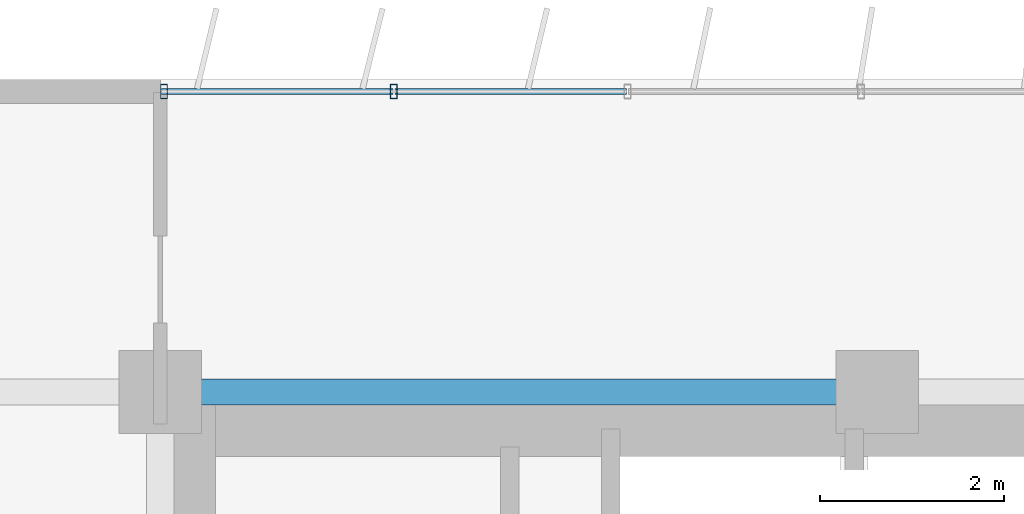
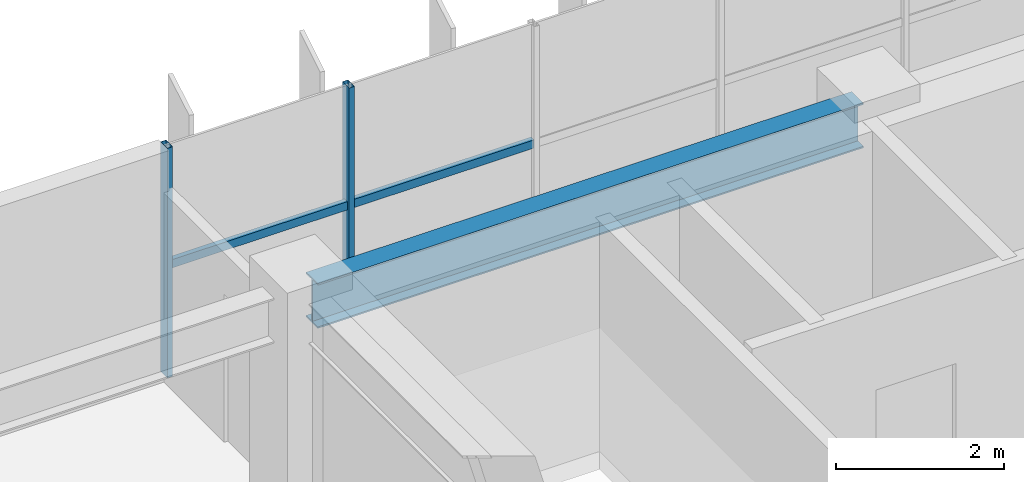
# One storey, part 5 of 22: 4 members, 1 beam, 1 element without a shape of its own.
"""IFC4 building model written with IfcOpenShell, lengths in metres."""

from ifc_helpers import new_model, si_unit, direction, frame, origin, origin_2d, place, context, subcontext, project, spatial, hollow_rectangle, i_section, extrude, source, transform, mapped, material, material_profile, profile_set, type_object, element, aggregate, save


model = new_model("IFC4")

# Units and contexts
model_context = context("Model", 3, precision=1e-05, world=origin(), true_north=direction((0.0, 1.0)))
body_context = subcontext(model_context, "Body", "Model", "MODEL_VIEW")
ifc_project = project(units=[si_unit("LENGTHUNIT", "METRE"), si_unit("AREAUNIT", "SQUARE_METRE"), si_unit("VOLUMEUNIT", "CUBIC_METRE"), si_unit("PLANEANGLEUNIT", "RADIAN"), si_unit("MASSUNIT", "GRAM", prefix="KILO")], contexts=[model_context])

# Site, building, storey
site_placement = place(None, origin())
site = spatial("IfcSite", under=ifc_project, at=site_placement, CompositionType="ELEMENT")
building_placement = place(site_placement, origin())
building = spatial("IfcBuilding", under=site, at=building_placement, Name="Trelvane Seafront Commons", CompositionType="ELEMENT")
storey_placement = place(building_placement, frame((0.0, 0.0, 45.10009765625)))
storey = spatial("IfcBuildingStorey", under=building, at=storey_placement, Name="L11", CompositionType="ELEMENT", Elevation=45.10009765625)

# Beam
ifc_material_1 = material(Name="Steel SM355 (S355)", Category="steel")
ifc_material_profile_1 = material_profile(ifc_material_1, i_section(OverallWidth=0.280029296875, OverallDepth=0.64990234375, WebThickness=0.012939453125, FlangeThickness=0.02197265625, at=origin_2d()), Name="H-650x280x13x22")
ifc_profile_set_1 = profile_set([ifc_material_profile_1], Name="Steel SM355 (S355)")
beam_type = type_object("IfcBeamType", Name="STR-BM-H650", PredefinedType="BEAM", material=ifc_profile_set_1)
shared_shape_1 = source(origin(), body_context, "Body", "SweptSolid", [
    extrude(i_section(OverallWidth=0.280029296875, OverallDepth=0.64990234375, WebThickness=0.012939453125, FlangeThickness=0.02197265625, at=origin_2d()), origin(), (0.0, 0.0, 1.0), 7.5),
])
beam_placement = place(storey_placement, frame((15.75, 45.10009765625, 3.014892578125), z_axis=(1.0, 0.0, 0.0), x_axis=(0.0, 1.0, 0.0)))
element("IfcBeam", 1, at=beam_placement, inside=storey, type_object=beam_type, Name="L11 Primary Girder G-30", PredefinedType="BEAM", context=body_context, shape_type="MappedRepresentation", body=[
    mapped(shared_shape_1, transform((0.0, 0.0, 0.0), x_axis=(1.0, 0.0, 0.0), y_axis=(0.0, 1.0, 0.0), z_axis=(0.0, 0.0, 1.0), scale=1.0)),
])

# Curtain wall, members
ifc_material_2 = material(Name="Anodised pale-silver aluminium", Category="aluminium")
curtain_wall_type = type_object("IfcCurtainWallType", Name="ARCH-CW2-LOWTOWER", PredefinedType="NOTDEFINED", material=ifc_material_2)
curtain_wall_placement = place(storey_placement, origin())
curtain_wall = element("IfcCurtainWall", 2, at=curtain_wall_placement, inside=storey, type_object=curtain_wall_type, Name="CW-L11-0035", PredefinedType="NOTDEFINED")
ifc_material_profile_2 = material_profile(ifc_material_2, hollow_rectangle(XDim=0.070068359375, YDim=0.1201171875, WallThickness=0.00390625, at=origin_2d()), Name="TRAN-70x120x4")
ifc_profile_set_2 = profile_set([ifc_material_profile_2], Name="Anodised pale-silver aluminium")
member_type_1 = type_object("IfcMemberType", Name="ARCH-CW-TRAN-120", PredefinedType="USERDEFINED", material=ifc_profile_set_2)
shared_shape_2 = source(origin(), body_context, "Body", "SweptSolid", [
    extrude(hollow_rectangle(XDim=0.070068359375, YDim=0.1201171875, WallThickness=0.00390625, at=origin_2d()), origin(), (0.0, 0.0, 1.0), 2.51708984375),
])
member_1_placement = place(storey_placement, frame((15.612060546875, 48.3701171875, 1.602783203125), z_axis=(1.0, 0.0, 0.0), x_axis=(0.0, 1.0, 0.0)))
member_1 = element("IfcMember", 3, at=member_1_placement, type_object=member_type_1, Name="CW-L11-0035-T00", ObjectType="TRANSOM", PredefinedType="USERDEFINED", context=body_context, shape_type="MappedRepresentation", body=[
    mapped(shared_shape_2, transform((0.0, 0.0, 0.0), x_axis=(1.0, 0.0, 0.0), y_axis=(0.0, 1.0, 0.0), z_axis=(0.0, 0.0, 1.0), scale=1.0)),
])
member_2_placement = place(storey_placement, frame((18.1533203125, 48.3701171875, 1.602783203125), z_axis=(1.0, 0.0, 0.0), x_axis=(0.0, 1.0, 0.0)))
member_2 = element("IfcMember", 4, at=member_2_placement, type_object=member_type_1, Name="CW-L11-0035-T01", ObjectType="TRANSOM", PredefinedType="USERDEFINED", context=body_context, shape_type="MappedRepresentation", body=[
    mapped(shared_shape_2, transform((0.0, 0.0, 0.0), x_axis=(1.0, 0.0, 0.0), y_axis=(0.0, 1.0, 0.0), z_axis=(0.0, 0.0, 1.0), scale=1.0)),
])
ifc_material_profile_3 = material_profile(ifc_material_2, hollow_rectangle(XDim=0.074951171875, YDim=0.159912109375, WallThickness=0.00390625, at=origin_2d()), Name="MULL-75x160x4")
ifc_profile_set_3 = profile_set([ifc_material_profile_3], Name="Anodised pale-silver aluminium")
member_type_2 = type_object("IfcMemberType", Name="ARCH-CW-MULL-160", PredefinedType="MULLION", material=ifc_profile_set_3)
shared_shape_3 = source(origin(), body_context, "Body", "SweptSolid", [
    extrude(hollow_rectangle(XDim=0.074951171875, YDim=0.159912109375, WallThickness=0.00390625, at=origin_2d()), origin(), (0.0, 0.0, 1.0), 3.33984375),
])
member_3_placement = place(storey_placement, frame((15.639892578125, 48.3701171875, 0.0), z_axis=(0.0, 0.0, 1.0), x_axis=(1.0, 0.0, 0.0)))
member_3 = element("IfcMember", 5, at=member_3_placement, type_object=member_type_2, Name="CW-L11-0035-M00", PredefinedType="MULLION", context=body_context, shape_type="MappedRepresentation", body=[
    mapped(shared_shape_3, transform((0.0, 0.0, 0.0), x_axis=(1.0, 0.0, 0.0), y_axis=(0.0, 1.0, 0.0), z_axis=(0.0, 0.0, 1.0), scale=1.0)),
])
member_4_placement = place(storey_placement, frame((18.14111328125, 48.3701171875, 0.0), z_axis=(0.0, 0.0, 1.0), x_axis=(1.0, 0.0, 0.0)))
member_4 = element("IfcMember", 6, at=member_4_placement, type_object=member_type_2, Name="CW-L11-0035-M01", PredefinedType="MULLION", context=body_context, shape_type="MappedRepresentation", body=[
    mapped(shared_shape_3, transform((0.0, 0.0, 0.0), x_axis=(1.0, 0.0, 0.0), y_axis=(0.0, 1.0, 0.0), z_axis=(0.0, 0.0, 1.0), scale=1.0)),
])
aggregate(curtain_wall, [member_3, member_4, member_1, member_2])

save(model, "model.ifc")
